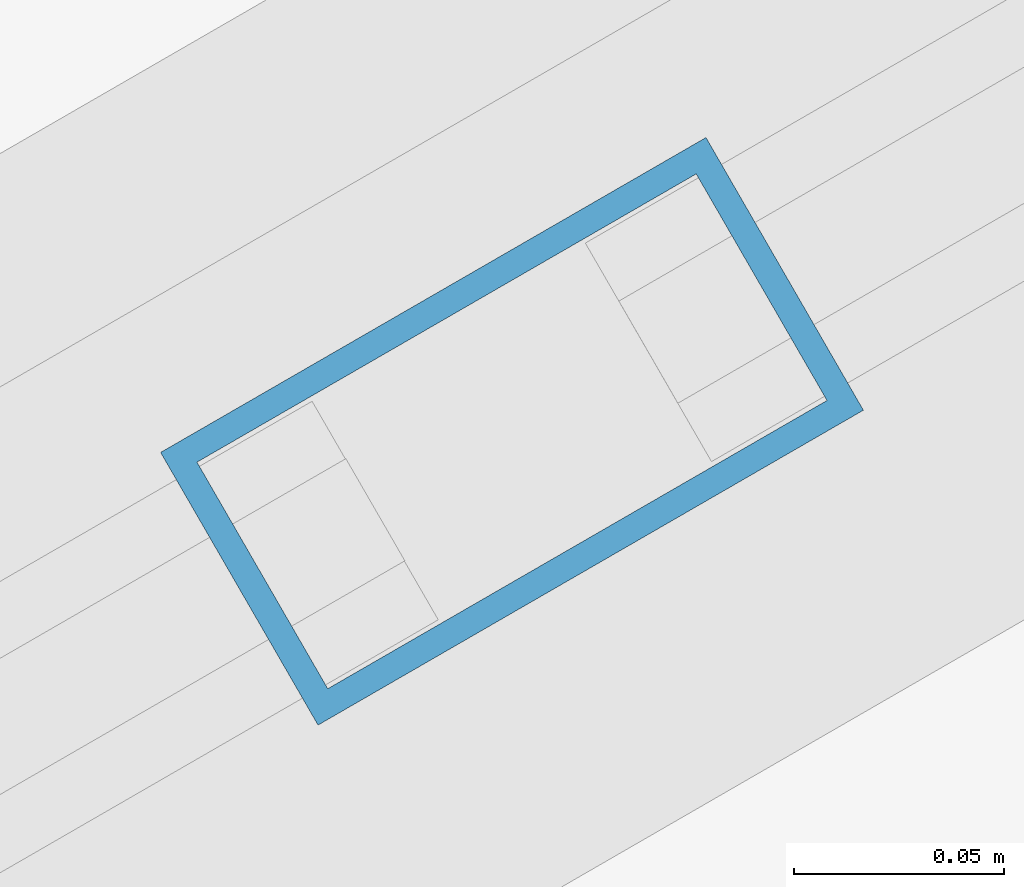
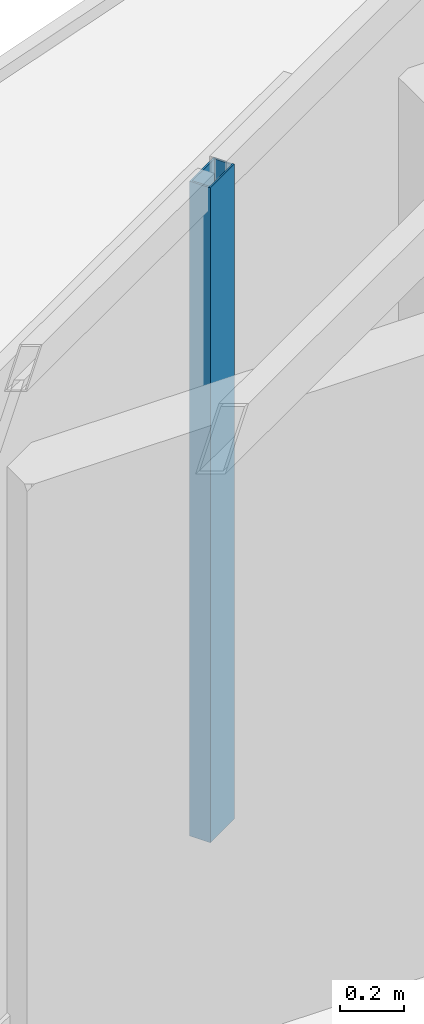
# One storey, part 8 of 21: 1 member, 1 element without a shape of its own.
"""IFC4 building model written with IfcOpenShell, lengths in metres."""

from ifc_helpers import new_model, si_unit, direction, frame, origin, origin_2d, place, context, subcontext, project, spatial, hollow_rectangle, extrude, material, layer, layer_set, material_profile, profile_set, type_object, element, aggregate, save


model = new_model("IFC4")

# Units and contexts
model_context = context("Model", 3, precision=1e-05, world=origin(), true_north=direction((0.0, 1.0)))
body_context = subcontext(model_context, "Body", "Model", "MODEL_VIEW")
ifc_project = project(units=[si_unit("LENGTHUNIT", "METRE"), si_unit("AREAUNIT", "SQUARE_METRE"), si_unit("VOLUMEUNIT", "CUBIC_METRE"), si_unit("PLANEANGLEUNIT", "RADIAN"), si_unit("MASSUNIT", "GRAM", prefix="KILO")], contexts=[model_context])

# Site, building, storey
site_placement = place(None, origin())
site = spatial("IfcSite", under=ifc_project, at=site_placement, CompositionType="ELEMENT")
building_placement = place(site_placement, origin())
building = spatial("IfcBuilding", under=site, at=building_placement, Name="Mersakhor Tower and Convention Hall", CompositionType="ELEMENT")
storey_placement = place(building_placement, frame((0.0, 0.0, 182.10009765625)))
storey = spatial("IfcBuildingStorey", under=building, at=storey_placement, Name="L50", CompositionType="ELEMENT", Elevation=182.10009765625)

# Curtain wall, member
ifc_material_1 = material(Name="Dark solar low-E aluminium curtain wall", Category="aluminium")
ifc_layer = layer(ifc_material_1, 0.169921875)
ifc_layer_set = layer_set([ifc_layer], Name="Dark solar low-E aluminium curtain wall")
curtain_wall_type = type_object("IfcCurtainWallType", Name="CW-SYS-02", PredefinedType="USERDEFINED", material=ifc_layer_set)
curtain_wall_placement = place(storey_placement, origin())
curtain_wall = element("IfcCurtainWall", 1, at=curtain_wall_placement, inside=storey, type_object=curtain_wall_type, Name="L50 Dark-Glass Curtain Wall F1-B2", ObjectType="CURTAIN WALL", PredefinedType="USERDEFINED")
ifc_material_2 = material(Name="Anodised aluminium EN AW-6063 T6", Category="aluminium")
ifc_material_profile = material_profile(ifc_material_2, hollow_rectangle(XDim=0.074951171875, YDim=0.14990234375, WallThickness=0.00634765625, at=origin_2d()), Name="RHS 150x75x6.3")
ifc_profile_set = profile_set([ifc_material_profile], Name="Anodised aluminium EN AW-6063 T6")
member_type = type_object("IfcMemberType", Name="CWM-150x75", PredefinedType="MULLION", material=ifc_profile_set)
member_placement = place(storey_placement, frame((21.906982421875, 36.035888671875, 0.199951171875), z_axis=(0.0, 0.0, 1.0), x_axis=(-0.500007824483, 0.86602088627, 0.0)))
member = element("IfcMember", 2, at=member_placement, type_object=member_type, Name="CW-02 mullion 2", PredefinedType="MULLION", context=body_context, shape_type="SweptSolid", body=[
    extrude(hollow_rectangle(XDim=0.074951171875, YDim=0.14990234375, WallThickness=0.00634765625, at=origin_2d()), origin(), (0.0, 0.0, 1.0), 2.489990234375),
])
aggregate(curtain_wall, [member])

save(model, "model.ifc")
